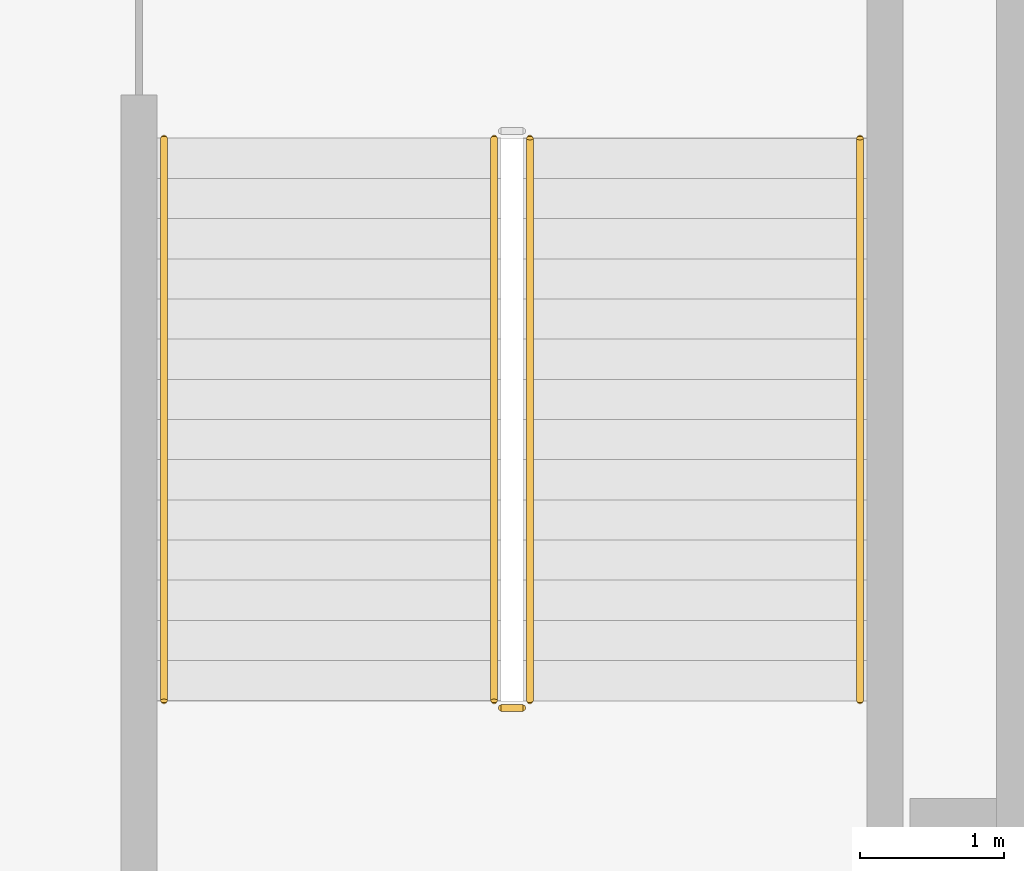
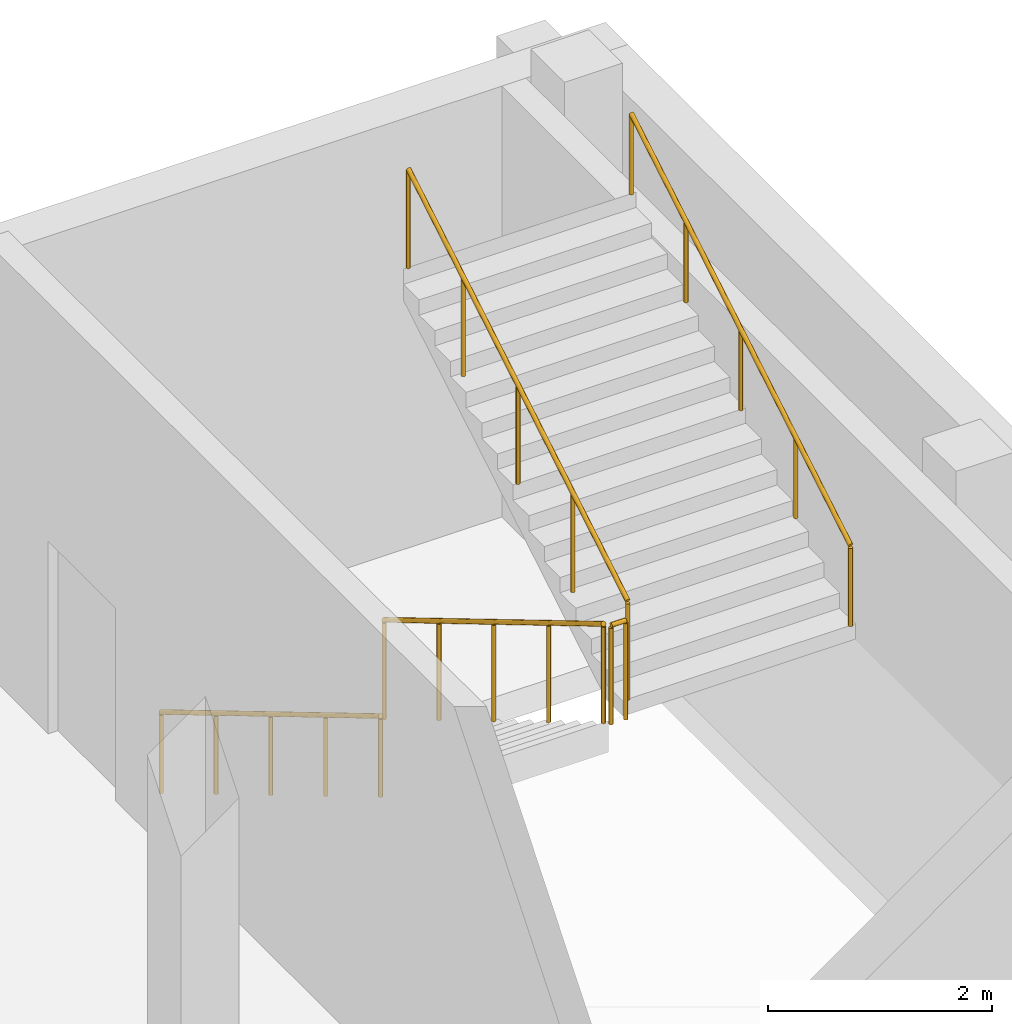
# One storey, part 30 of 32: 5 railings.
"""IFC4 building model written with IfcOpenShell, lengths in metres."""

from ifc_helpers import new_model, si_unit, direction, frame, origin, origin_2d, place, context, subcontext, project, spatial, circle, extrude, material, type_object, element, save


model = new_model("IFC4")

# Units and contexts
model_context = context("Model", 3, precision=1e-05, world=origin(), true_north=direction((0.0, 1.0)))
body_context = subcontext(model_context, "Body", "Model", "MODEL_VIEW")
ifc_project = project(units=[si_unit("LENGTHUNIT", "METRE"), si_unit("AREAUNIT", "SQUARE_METRE"), si_unit("VOLUMEUNIT", "CUBIC_METRE"), si_unit("PLANEANGLEUNIT", "RADIAN"), si_unit("MASSUNIT", "GRAM", prefix="KILO")], contexts=[model_context])

# Site, building, storey
site_placement = place(None, origin())
site = spatial("IfcSite", under=ifc_project, at=site_placement, CompositionType="ELEMENT")
building_placement = place(site_placement, origin())
building = spatial("IfcBuilding", under=site, at=building_placement, Name="Tamorin Gate", CompositionType="ELEMENT")
storey_placement = place(building_placement, frame((0.0, 0.0, 13.5)))
storey = spatial("IfcBuildingStorey", under=building, at=storey_placement, Name="L02", CompositionType="ELEMENT", Elevation=13.5)

# Railings
ifc_material = material(Name="Steel, galvanised", Category="steel")
railing_type_1 = type_object("IfcRailingType", Name="Steel guard 1100 museum", PredefinedType="GUARDRAIL", material=ifc_material)
railing_1_placement = place(storey_placement, frame((206.5, 95.60009765625, 0.166748046875)))
element("IfcRailing", 1, at=railing_1_placement, inside=storey, type_object=railing_type_1, Name="L02 PS9 stair guard 1", PredefinedType="GUARDRAIL", context=body_context, shape_type="SweptSolid", body=[
    extrude(circle(Radius=0.02392578125, at=origin_2d()), frame((0.0, 0.0, 1.076171875), z_axis=(0.0, -0.859310244771, 0.511454693235), x_axis=(1.0, 0.0, 0.0)), (0.0, 0.0, 1.0), 4.56201171875),
    extrude(circle(Radius=0.02099609375, at=origin_2d()), origin(), (0.0, 0.0, 1.0), 1.052001953125),
    extrude(circle(Radius=0.02099609375, at=origin_2d()), frame((0.0, -0.97998046875, 0.583251953125)), (0.0, 0.0, 1.0), 1.052001953125),
    extrude(circle(Radius=0.02099609375, at=origin_2d()), frame((0.0, -1.9599609375, 1.16650390625)), (0.0, 0.0, 1.0), 1.052001953125),
    extrude(circle(Radius=0.02099609375, at=origin_2d()), frame((0.0, -2.940185546875, 1.75)), (0.0, 0.0, 1.0), 1.052001953125),
    extrude(circle(Radius=0.02099609375, at=origin_2d()), frame((0.0, -3.920166015625, 2.333251953125)), (0.0, 0.0, 1.0), 1.052001953125),
])
railing_2_placement = place(storey_placement, frame((206.550048828125, 91.6298828125, 2.5)))
element("IfcRailing", 2, at=railing_2_placement, inside=storey, type_object=railing_type_1, Name="L02 PS9 stair guard 2", PredefinedType="GUARDRAIL", context=body_context, shape_type="SweptSolid", body=[
    extrude(circle(Radius=0.02392578125, at=origin_2d()), frame((0.0, 0.0, 1.076171875), z_axis=(1.0, 0.0, 0.0), x_axis=(0.0, 1.0, 0.0)), (0.0, 0.0, 1.0), 0.14990234375),
    extrude(circle(Radius=0.02099609375, at=origin_2d()), origin(), (0.0, 0.0, 1.0), 1.052001953125),
    extrude(circle(Radius=0.02099609375, at=origin_2d()), frame((0.14990234375, 0.0, 0.0)), (0.0, 0.0, 1.0), 1.052001953125),
])
railing_3_placement = place(storey_placement, frame((206.75, 91.679931640625, 2.666748046875)))
element("IfcRailing", 3, at=railing_3_placement, inside=storey, type_object=railing_type_1, Name="L02 PS9 stair guard 3", PredefinedType="GUARDRAIL", context=body_context, shape_type="SweptSolid", body=[
    extrude(circle(Radius=0.02392578125, at=origin_2d()), frame((0.0, 0.0, 1.076171875), z_axis=(0.0, 0.859310244771, 0.511454693235), x_axis=(-1.0, 0.0, 0.0)), (0.0, 0.0, 1.0), 4.56201171875),
    extrude(circle(Radius=0.02099609375, at=origin_2d()), origin(), (0.0, 0.0, 1.0), 1.052001953125),
    extrude(circle(Radius=0.02099609375, at=origin_2d()), frame((0.0, 0.97998046875, 0.583251953125)), (0.0, 0.0, 1.0), 1.052001953125),
    extrude(circle(Radius=0.02099609375, at=origin_2d()), frame((0.0, 1.9599609375, 1.16650390625)), (0.0, 0.0, 1.0), 1.052001953125),
    extrude(circle(Radius=0.02099609375, at=origin_2d()), frame((0.0, 2.940185546875, 1.75)), (0.0, 0.0, 1.0), 1.052001953125),
    extrude(circle(Radius=0.02099609375, at=origin_2d()), frame((0.0, 3.920166015625, 2.333251953125)), (0.0, 0.0, 1.0), 1.052001953125),
])
railing_type_2 = type_object("IfcRailingType", Name="Steel handrail 900 museum", PredefinedType="HANDRAIL", material=ifc_material)
railing_4_placement = place(storey_placement, frame((204.199951171875, 95.60009765625, 0.166748046875)))
element("IfcRailing", 4, at=railing_4_placement, inside=storey, type_object=railing_type_2, Name="L02 PS9 stair handrail 1", PredefinedType="HANDRAIL", context=body_context, shape_type="SweptSolid", body=[
    extrude(circle(Radius=0.02392578125, at=origin_2d()), frame((0.0, 0.0, 0.8759765625), z_axis=(0.0, -0.859310244771, 0.511454693235), x_axis=(1.0, 0.0, 0.0)), (0.0, 0.0, 1.0), 4.56201171875),
    extrude(circle(Radius=0.02099609375, at=origin_2d()), origin(), (0.0, 0.0, 1.0), 0.851806640625),
    extrude(circle(Radius=0.02099609375, at=origin_2d()), frame((0.0, -0.97998046875, 0.583251953125)), (0.0, 0.0, 1.0), 0.851806640625),
    extrude(circle(Radius=0.02099609375, at=origin_2d()), frame((0.0, -1.9599609375, 1.16650390625)), (0.0, 0.0, 1.0), 0.851806640625),
    extrude(circle(Radius=0.02099609375, at=origin_2d()), frame((0.0, -2.940185546875, 1.75)), (0.0, 0.0, 1.0), 0.851806640625),
    extrude(circle(Radius=0.02099609375, at=origin_2d()), frame((0.0, -3.920166015625, 2.333251953125)), (0.0, 0.0, 1.0), 0.851806640625),
])
railing_5_placement = place(storey_placement, frame((209.050048828125, 91.679931640625, 2.666748046875)))
element("IfcRailing", 5, at=railing_5_placement, inside=storey, type_object=railing_type_2, Name="L02 PS9 stair handrail 2", PredefinedType="HANDRAIL", context=body_context, shape_type="SweptSolid", body=[
    extrude(circle(Radius=0.02392578125, at=origin_2d()), frame((0.0, 0.0, 0.8759765625), z_axis=(0.0, 0.859310244771, 0.511454693235), x_axis=(-1.0, 0.0, 0.0)), (0.0, 0.0, 1.0), 4.56201171875),
    extrude(circle(Radius=0.02099609375, at=origin_2d()), origin(), (0.0, 0.0, 1.0), 0.851806640625),
    extrude(circle(Radius=0.02099609375, at=origin_2d()), frame((0.0, 0.97998046875, 0.583251953125)), (0.0, 0.0, 1.0), 0.851806640625),
    extrude(circle(Radius=0.02099609375, at=origin_2d()), frame((0.0, 1.9599609375, 1.16650390625)), (0.0, 0.0, 1.0), 0.851806640625),
    extrude(circle(Radius=0.02099609375, at=origin_2d()), frame((0.0, 2.940185546875, 1.75)), (0.0, 0.0, 1.0), 0.851806640625),
    extrude(circle(Radius=0.02099609375, at=origin_2d()), frame((0.0, 3.920166015625, 2.333251953125)), (0.0, 0.0, 1.0), 0.851806640625),
])

save(model, "model.ifc")
